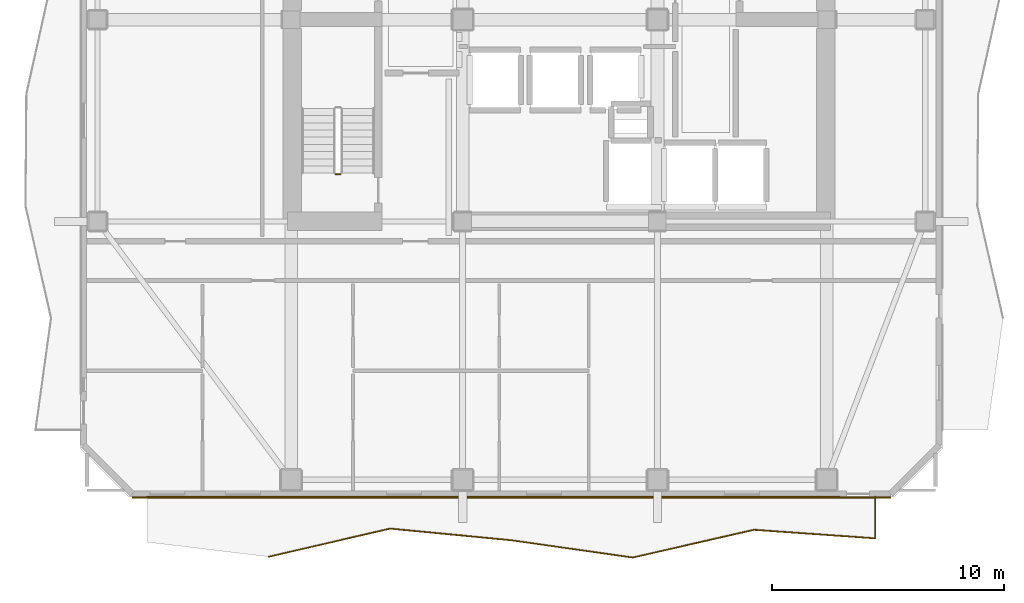
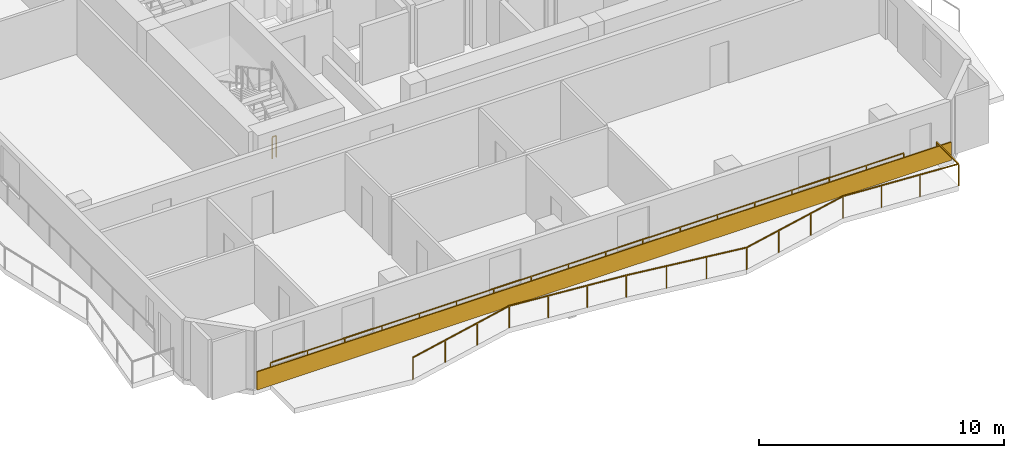
# One storey, part 7 of 10: 3 railings, 1 covering.
"""IFC4 building model written with IfcOpenShell, lengths in metres."""

from ifc_helpers import new_model, si_unit, direction, frame, frame_2d, origin, origin_2d, place, context, subcontext, project, spatial, rectangle, extrude, material, layer, layer_set, type_object, element, save


model = new_model("IFC4")

# Units and contexts
model_context = context("Model", 3, precision=1e-05, world=origin(), true_north=direction((0.0, 1.0)))
body_context = subcontext(model_context, "Body", "Model", "MODEL_VIEW")
ifc_project = project(units=[si_unit("LENGTHUNIT", "METRE"), si_unit("AREAUNIT", "SQUARE_METRE"), si_unit("VOLUMEUNIT", "CUBIC_METRE"), si_unit("PLANEANGLEUNIT", "RADIAN"), si_unit("MASSUNIT", "GRAM", prefix="KILO")], contexts=[model_context])

# Site, building, storey
site_placement = place(None, origin())
site = spatial("IfcSite", under=ifc_project, at=site_placement, CompositionType="ELEMENT")
building_placement = place(site_placement, origin())
building = spatial("IfcBuilding", under=site, at=building_placement, Name="Solanera Arch Residences", CompositionType="ELEMENT")
storey_placement = place(building_placement, frame((0.0, 0.0, 206.760009765625)))
storey = spatial("IfcBuildingStorey", under=building, at=storey_placement, Name="L60", CompositionType="ELEMENT", Elevation=206.760009765625)

# Railings
ifc_material_1 = material(Name="Steel S355 (ASTM A992 / A572 Grade 50)", Category="steel")
railing_type_1 = type_object("IfcRailingType", Name="Balustrade Railing BL-1100", PredefinedType="BALUSTRADE", material=ifc_material_1)
railing_1_placement = place(storey_placement, frame((12.43310546875, 7.531982421875, 0.0)))
element("IfcRailing", 1, at=railing_1_placement, inside=storey, type_object=railing_type_1, Name="L60 S Balcony Balustrade 1", PredefinedType="BALUSTRADE", context=body_context, shape_type="SweptSolid", body=[
    extrude(rectangle(XDim=0.048095703125, YDim=0.048095703125, at=origin_2d()), frame((0.0, 0.0, 1.09619140625), z_axis=(0.974174002603, 0.225798610828, 0.0), x_axis=(-0.225798610828, 0.974174002603, 0.0)), (0.0, 0.0, 1.0), 5.37255859375),
    extrude(rectangle(XDim=0.048095703125, YDim=0.048095703125, at=origin_2d()), frame((5.23388671875, 1.213134765625, 1.09619140625), z_axis=(0.995426540703, -0.095530110769, 0.0), x_axis=(0.095530110769, 0.995426540703, 0.0)), (0.0, 0.0, 1.0), 5.2568359375),
    extrude(rectangle(XDim=0.048095703125, YDim=0.048095703125, at=origin_2d()), frame((10.466796875, 0.7109375, 1.09619140625), z_axis=(0.989995626809, -0.141098047115, 0.0), x_axis=(0.141098047115, 0.989995626809, 0.0)), (0.0, 0.0, 1.0), 5.2861328125),
    extrude(rectangle(XDim=0.048095703125, YDim=0.048095703125, at=origin_2d()), frame((15.699951171875, -0.034912109375, 1.09619140625), z_axis=(0.974829994776, 0.22294950389, 0.0), x_axis=(-0.22294950389, 0.974829994776, 0.0)), (0.0, 0.0, 1.0), 5.369140625),
    extrude(rectangle(XDim=0.048095703125, YDim=0.048095703125, at=origin_2d()), frame((20.933837890625, 1.162109375, 1.09619140625), z_axis=(0.997534430649, -0.070178769369, 0.0), x_axis=(0.070178769369, 0.997534430649, 0.0)), (0.0, 0.0, 1.0), 5.24609375),
    extrude(rectangle(XDim=0.048095703125, YDim=0.048095703125, at=origin_2d()), frame((26.1669921875, 0.7939453125, 1.09619140625), z_axis=(0.0, 1.0, 0.0), x_axis=(-1.0, 0.0, 0.0)), (0.0, 0.0, 1.0), 1.794189453125),
    extrude(rectangle(XDim=0.0419921875, YDim=0.0419921875, at=origin_2d()), origin(), (0.0, 0.0, 1.0), 1.072021484375),
    extrude(rectangle(XDim=0.0419921875, YDim=0.0419921875, at=origin_2d()), frame((1.74462890625, 0.404296875, 0.0)), (0.0, 0.0, 1.0), 1.072021484375),
    extrude(rectangle(XDim=0.0419921875, YDim=0.0419921875, at=origin_2d()), frame((3.4892578125, 0.808837890625, 0.0)), (0.0, 0.0, 1.0), 1.072021484375),
    extrude(rectangle(XDim=0.0419921875, YDim=0.0419921875, at=origin_2d()), frame((5.23388671875, 1.213134765625, 0.0)), (0.0, 0.0, 1.0), 1.072021484375),
    extrude(rectangle(XDim=0.0419921875, YDim=0.0419921875, at=origin_2d()), frame((6.978271484375, 1.045654296875, 0.0)), (0.0, 0.0, 1.0), 1.072021484375),
    extrude(rectangle(XDim=0.0419921875, YDim=0.0419921875, at=origin_2d()), frame((8.722412109375, 0.87841796875, 0.0)), (0.0, 0.0, 1.0), 1.072021484375),
    extrude(rectangle(XDim=0.0419921875, YDim=0.0419921875, at=origin_2d()), frame((10.466796875, 0.7109375, 0.0)), (0.0, 0.0, 1.0), 1.072021484375),
    extrude(rectangle(XDim=0.0419921875, YDim=0.0419921875, at=origin_2d()), frame((12.211181640625, 0.46240234375, 0.0)), (0.0, 0.0, 1.0), 1.072021484375),
    extrude(rectangle(XDim=0.0419921875, YDim=0.0419921875, at=origin_2d()), frame((13.95556640625, 0.213623046875, 0.0)), (0.0, 0.0, 1.0), 1.072021484375),
    extrude(rectangle(XDim=0.0419921875, YDim=0.0419921875, at=origin_2d()), frame((15.699951171875, -0.034912109375, 0.0)), (0.0, 0.0, 1.0), 1.072021484375),
    extrude(rectangle(XDim=0.0419921875, YDim=0.0419921875, at=origin_2d()), frame((17.444580078125, 0.364013671875, 0.0)), (0.0, 0.0, 1.0), 1.072021484375),
    extrude(rectangle(XDim=0.0419921875, YDim=0.0419921875, at=origin_2d()), frame((19.189208984375, 0.76318359375, 0.0)), (0.0, 0.0, 1.0), 1.072021484375),
    extrude(rectangle(XDim=0.0419921875, YDim=0.0419921875, at=origin_2d()), frame((20.933837890625, 1.162109375, 0.0)), (0.0, 0.0, 1.0), 1.072021484375),
    extrude(rectangle(XDim=0.0419921875, YDim=0.0419921875, at=origin_2d()), frame((22.67822265625, 1.039306640625, 0.0)), (0.0, 0.0, 1.0), 1.072021484375),
    extrude(rectangle(XDim=0.0419921875, YDim=0.0419921875, at=origin_2d()), frame((24.422607421875, 0.916748046875, 0.0)), (0.0, 0.0, 1.0), 1.072021484375),
    extrude(rectangle(XDim=0.0419921875, YDim=0.0419921875, at=origin_2d()), frame((26.1669921875, 0.7939453125, 0.0)), (0.0, 0.0, 1.0), 1.072021484375),
    extrude(rectangle(XDim=0.0419921875, YDim=0.0419921875, at=origin_2d()), frame((26.1669921875, 2.588134765625, 0.0)), (0.0, 0.0, 1.0), 1.072021484375),
])
railing_2_placement = place(storey_placement, frame((37.048095703125, 10.1201171875, 0.0)))
element("IfcRailing", 2, at=railing_2_placement, inside=storey, type_object=railing_type_1, Name="L60 S Balcony Balustrade 2", PredefinedType="BALUSTRADE", context=body_context, shape_type="SweptSolid", body=[
    extrude(rectangle(XDim=0.048095703125, YDim=0.048095703125, at=origin_2d()), frame((0.0, 0.0, 1.09619140625), z_axis=(-1.0, 0.0, 0.0), x_axis=(0.0, -1.0, 0.0)), (0.0, 0.0, 1.0), 29.84814453125),
    extrude(rectangle(XDim=0.0419921875, YDim=0.0419921875, at=origin_2d()), origin(), (0.0, 0.0, 1.0), 1.072021484375),
    extrude(rectangle(XDim=0.0419921875, YDim=0.0419921875, at=origin_2d()), frame((-1.755859375, 0.0, 0.0)), (0.0, 0.0, 1.0), 1.072021484375),
    extrude(rectangle(XDim=0.0419921875, YDim=0.0419921875, at=origin_2d()), frame((-3.511474609375, 0.0, 0.0)), (0.0, 0.0, 1.0), 1.072021484375),
    extrude(rectangle(XDim=0.0419921875, YDim=0.0419921875, at=origin_2d()), frame((-5.267333984375, 0.0, 0.0)), (0.0, 0.0, 1.0), 1.072021484375),
    extrude(rectangle(XDim=0.0419921875, YDim=0.0419921875, at=origin_2d()), frame((-7.023193359375, 0.0, 0.0)), (0.0, 0.0, 1.0), 1.072021484375),
    extrude(rectangle(XDim=0.0419921875, YDim=0.0419921875, at=origin_2d()), frame((-8.77880859375, 0.0, 0.0)), (0.0, 0.0, 1.0), 1.072021484375),
    extrude(rectangle(XDim=0.0419921875, YDim=0.0419921875, at=origin_2d()), frame((-10.53466796875, 0.0, 0.0)), (0.0, 0.0, 1.0), 1.072021484375),
    extrude(rectangle(XDim=0.0419921875, YDim=0.0419921875, at=origin_2d()), frame((-12.29052734375, 0.0, 0.0)), (0.0, 0.0, 1.0), 1.072021484375),
    extrude(rectangle(XDim=0.0419921875, YDim=0.0419921875, at=origin_2d()), frame((-14.046142578125, 0.0, 0.0)), (0.0, 0.0, 1.0), 1.072021484375),
    extrude(rectangle(XDim=0.0419921875, YDim=0.0419921875, at=origin_2d()), frame((-15.802001953125, 0.0, 0.0)), (0.0, 0.0, 1.0), 1.072021484375),
    extrude(rectangle(XDim=0.0419921875, YDim=0.0419921875, at=origin_2d()), frame((-17.5576171875, 0.0, 0.0)), (0.0, 0.0, 1.0), 1.072021484375),
    extrude(rectangle(XDim=0.0419921875, YDim=0.0419921875, at=origin_2d()), frame((-19.3134765625, 0.0, 0.0)), (0.0, 0.0, 1.0), 1.072021484375),
    extrude(rectangle(XDim=0.0419921875, YDim=0.0419921875, at=origin_2d()), frame((-21.0693359375, 0.0, 0.0)), (0.0, 0.0, 1.0), 1.072021484375),
    extrude(rectangle(XDim=0.0419921875, YDim=0.0419921875, at=origin_2d()), frame((-22.824951171875, 0.0, 0.0)), (0.0, 0.0, 1.0), 1.072021484375),
    extrude(rectangle(XDim=0.0419921875, YDim=0.0419921875, at=origin_2d()), frame((-24.580810546875, 0.0, 0.0)), (0.0, 0.0, 1.0), 1.072021484375),
    extrude(rectangle(XDim=0.0419921875, YDim=0.0419921875, at=origin_2d()), frame((-26.336669921875, 0.0, 0.0)), (0.0, 0.0, 1.0), 1.072021484375),
    extrude(rectangle(XDim=0.0419921875, YDim=0.0419921875, at=origin_2d()), frame((-28.09228515625, 0.0, 0.0)), (0.0, 0.0, 1.0), 1.072021484375),
    extrude(rectangle(XDim=0.0419921875, YDim=0.0419921875, at=origin_2d()), frame((-29.84814453125, 0.0, 0.0)), (0.0, 0.0, 1.0), 1.072021484375),
])

# Covering
ifc_material_2 = material(Name="Philippine Adobe Travertine Cladding", Category="masonry")
ifc_layer = layer(ifc_material_2, 0.06005859375)
ifc_layer_set = layer_set([ifc_layer], Name="Philippine Adobe Travertine Cladding")
covering_type = type_object("IfcCoveringType", Name="Precast Pier Stone Cladding CLD-60", PredefinedType="CLADDING", material=ifc_layer_set)
covering_placement = place(storey_placement, frame((39.2548828125, 10.0849609375, 0.0), z_axis=(0.0, 0.0, 1.0), x_axis=(-1.0, 0.0, 0.0)))
element("IfcCovering", 3, at=covering_placement, inside=storey, type_object=covering_type, Name="L60 S Precast Spandrel Stone Band", PredefinedType="CLADDING", context=body_context, shape_type="SweptSolid", body=[
    extrude(rectangle(XDim=32.7099609375, YDim=0.06005859375, at=frame_2d((16.35498046875, 0.0))), origin(), (0.0, 0.0, 1.0), 0.89990234375),
])

# Railing
ifc_material_3 = material(Name="Steel S355 (ASTM A992 / A572 Grade 50)", Category="steel")
railing_type_2 = type_object("IfcRailingType", Name="Stair Guardrail GR-1100", PredefinedType="GUARDRAIL", material=ifc_material_3)
railing_3_placement = place(storey_placement, frame((15.52001953125, 24.030029296875, -0.014892578125)))
element("IfcRailing", 4, at=railing_3_placement, inside=storey, type_object=railing_type_2, Name="L60 ST-T3 stair guard 4", PredefinedType="GUARDRAIL", context=body_context, shape_type="SweptSolid", body=[
    extrude(rectangle(XDim=0.048095703125, YDim=0.048095703125, at=origin_2d()), frame((0.0, 0.0, 1.076171875), z_axis=(-1.0, 0.0, 0.0), x_axis=(0.0, -1.0, 0.0)), (0.0, 0.0, 1.0), 0.199951171875),
    extrude(rectangle(XDim=0.0419921875, YDim=0.0419921875, at=origin_2d()), origin(), (0.0, 0.0, 1.0), 1.052001953125),
    extrude(rectangle(XDim=0.0419921875, YDim=0.0419921875, at=origin_2d()), frame((-0.199951171875, 0.0, 0.0)), (0.0, 0.0, 1.0), 1.052001953125),
])

save(model, "model.ifc")
